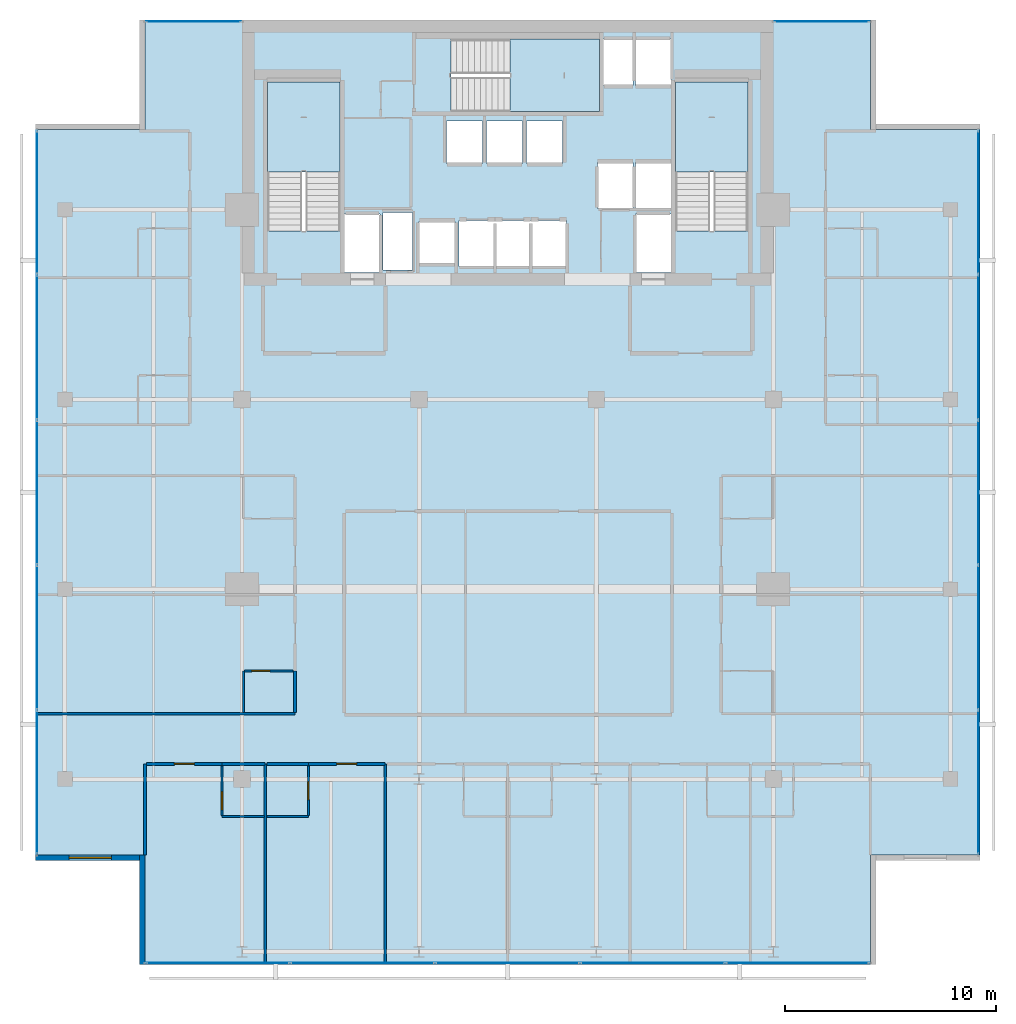
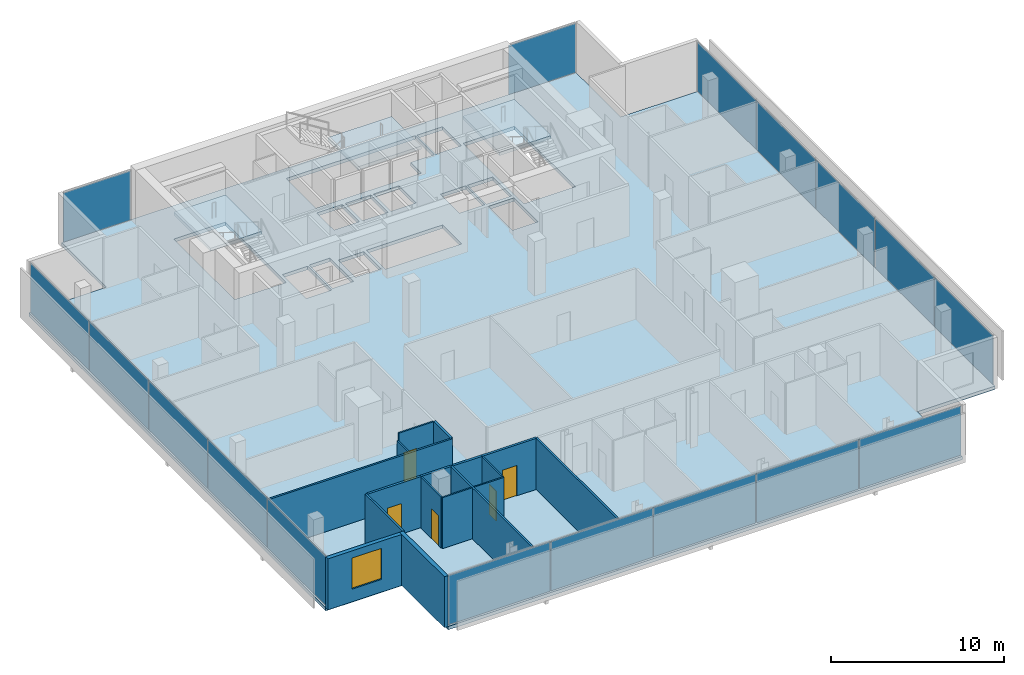
# One storey, part 19 of 25: 17 plates, 17 walls, 5 doors, 4 slabs, 1 window, 6 openings, 8 elements without a shape of their own.
"""IFC4 building model written with IfcOpenShell, lengths in metres."""

import ifcopenshell
import ifcopenshell.guid

model = None  # the IFC model being written
_history = None  # IfcOwnerHistory: only IFC2X3 demands one
_inside = {}  # id of a spatial element -> (the spatial element, [elements in it])
_under = {}  # id of a project, library or spatial element -> (it, [spatial elements below it])
_declared = {}  # id of a project -> (the project, [libraries it declares])
_typed = {}  # id of a type object -> (the type object, [elements of that type])
_made_of = {}  # id of a material, layer set ... -> (it, [elements and type objects made of it])


def new_model(schema):
    """Start an empty IFC model of exactly this schema.

    Asked for "IFC4X3", IfcOpenShell would pick the latest addendum, in which some entities
    have other attributes; the version numbers below select the first issue.
    IFC2X3 requires an IfcOwnerHistory on every rooted entity: one is made here for all.
    """
    global model, _history
    if schema == "IFC4X3":
        model = ifcopenshell.file(schema_version=(4, 3, 0, 0))
    else:
        model = ifcopenshell.file(schema=schema)
    _inside.clear()
    _under.clear()
    _declared.clear()
    _typed.clear()
    _made_of.clear()
    _history = None
    if model.schema == "IFC2X3":
        org = make("IfcOrganization", Name="unknown")
        user = make(
            "IfcPersonAndOrganization",
            ThePerson=make("IfcPerson", FamilyName="unknown"),
            TheOrganization=org,
        )
        app = make(
            "IfcApplication",
            ApplicationDeveloper=org,
            Version="unknown",
            ApplicationFullName="unknown",
            ApplicationIdentifier="unknown",
        )
        _history = make(
            "IfcOwnerHistory",
            OwningUser=user,
            OwningApplication=app,
            ChangeAction="ADDED",
            CreationDate=0,
        )
    return model


def make(cls, **values):
    """One entity of the class cls with the attributes given. An attribute that is None is left unset."""
    return model.create_entity(
        cls, **{name: value for name, value in values.items() if value is not None}
    )


def rooted(cls, **values):
    """An entity with a GlobalId (a new one), such as an element, a storey or a relation."""
    return make(cls, GlobalId=ifcopenshell.guid.new(), OwnerHistory=_history, **values)


def si_unit(unit_type, name, prefix=None):
    """IfcSIUnit, for example si_unit("LENGTHUNIT", "METRE", prefix="MILLI")."""
    return make("IfcSIUnit", UnitType=unit_type, Prefix=prefix, Name=name)


def assignment(units):
    """IfcUnitAssignment: the units of a project."""
    return None if units is None else make("IfcUnitAssignment", Units=units)


def point(xyz):
    """IfcCartesianPoint."""
    return None if xyz is None else make("IfcCartesianPoint", Coordinates=xyz)


def direction(xyz):
    """IfcDirection."""
    return None if xyz is None else make("IfcDirection", DirectionRatios=xyz)


def frame(location, z_axis=None, x_axis=None):
    """IfcAxis2Placement3D, a coordinate frame: its origin and axes. An axis left out is left unset."""
    return make(
        "IfcAxis2Placement3D",
        Location=point(location),
        Axis=direction(z_axis),
        RefDirection=direction(x_axis),
    )


def frame_2d(location, x_axis=None):
    """IfcAxis2Placement2D, a coordinate frame in the plane: its origin and x axis."""
    return make(
        "IfcAxis2Placement2D", Location=point(location), RefDirection=direction(x_axis)
    )


def origin():
    """The frame at (0, 0, 0) with its axes left unset."""
    return frame((0.0, 0.0, 0.0))


def origin_2d():
    """The frame at (0, 0) in the plane with its x axis left unset."""
    return frame_2d((0.0, 0.0))


def place(relative_to, where):
    """IfcLocalPlacement: puts the frame where relative to a parent placement (None: the world)."""
    return make(
        "IfcLocalPlacement", PlacementRelTo=relative_to, RelativePlacement=where
    )


def context(
    kind, dimensions, precision=None, world=None, true_north=None, identifier=None
):
    """IfcGeometricRepresentationContext, for example the 3D "Model" context."""
    return make(
        "IfcGeometricRepresentationContext",
        ContextIdentifier=identifier,
        ContextType=kind,
        CoordinateSpaceDimension=dimensions,
        Precision=precision,
        WorldCoordinateSystem=world,
        TrueNorth=true_north,
    )


def subcontext(parent, identifier, kind, view, scale=None):
    """IfcGeometricRepresentationSubContext, for example "Body" below "Model"."""
    return make(
        "IfcGeometricRepresentationSubContext",
        ContextIdentifier=identifier,
        ContextType=kind,
        ParentContext=parent,
        TargetScale=scale,
        TargetView=view,
    )


def project(units=None, contexts=None):
    """IfcProject with its units and contexts."""
    return rooted(
        "IfcProject",
        Name="project",
        RepresentationContexts=contexts,
        UnitsInContext=assignment(units),
    )


def spatial(cls, under=None, at=None, **own):
    """A site, building, storey or space (cls), placed at a placement, below another one or the project."""
    s = rooted(cls, ObjectPlacement=at, **own)
    if under is not None:
        _under.setdefault(under.id(), (under, []))[1].append(s)
    return s


def polyline(points):
    """IfcPolyline through the points."""
    return make("IfcPolyline", Points=[point(p) for p in points])


def profile(cls, at=None, kind="AREA", **sizes):
    """A parametric profile (cls). Its sizes go by their IFC names, for example OverallWidth=200.0."""
    return make(cls, ProfileType=kind, Position=at, **sizes)


def rectangle(**sizes):
    """IfcRectangleProfileDef."""
    return profile("IfcRectangleProfileDef", **sizes)


def outline(outer, holes=None, kind="AREA"):
    """IfcArbitraryClosedProfileDef: a profile drawn as a closed curve; with holes, ...WithVoids."""
    if holes is None:
        return make("IfcArbitraryClosedProfileDef", ProfileType=kind, OuterCurve=outer)
    return make(
        "IfcArbitraryProfileDefWithVoids",
        ProfileType=kind,
        OuterCurve=outer,
        InnerCurves=holes,
    )


def extrude(swept, where, along, depth):
    """IfcExtrudedAreaSolid: the profile swept, set in the frame where, extruded along a direction by depth."""
    return make(
        "IfcExtrudedAreaSolid",
        SweptArea=swept,
        Position=where,
        ExtrudedDirection=direction(along),
        Depth=depth,
    )


def shape(context_of_items, identifier, shape_type, items):
    """IfcShapeRepresentation: the items that make up one representation, for example the "Body"."""
    return make(
        "IfcShapeRepresentation",
        ContextOfItems=context_of_items,
        RepresentationIdentifier=identifier,
        RepresentationType=shape_type,
        Items=items,
    )


def material(Name=None, Category=None):
    """IfcMaterial."""
    return make("IfcMaterial", Name=Name, Category=Category)


def layer(
    of_material, thickness, ventilated=None, Name=None, Category=None, Priority=None
):
    """IfcMaterialLayer: one layer of a wall or slab, of a material (None: an air gap)."""
    return make(
        "IfcMaterialLayer",
        Material=of_material,
        LayerThickness=thickness,
        IsVentilated=ventilated,
        Name=Name,
        Category=Category,
        Priority=Priority,
    )


def layer_set(layers, Name=None):
    """IfcMaterialLayerSet."""
    return make("IfcMaterialLayerSet", MaterialLayers=layers, LayerSetName=Name)


def made_of(thing, what):
    """Note that an element or type object is made of a material, layer set ...; save() writes the relation."""
    if what is not None:
        _made_of.setdefault(what.id(), (what, []))[1].append(thing)
    return thing


def type_object(cls, material=None, **own):
    """A type object (cls), such as IfcWallType, which elements share."""
    return made_of(rooted(cls, **own), material)


def element(
    cls,
    number,
    at=None,
    inside=None,
    cuts=None,
    type_object=None,
    material=None,
    context=None,
    identifier="Body",
    shape_type=None,
    held_by="IfcProductDefinitionShape",
    body=None,
    shapes=None,
    **own,
):
    """One element of the class cls, such as IfcWall. Its Tag is "e" and its number.

    at: its placement. inside: the storey or other place that contains it. cuts: it is an
    opening in that element (IfcRelVoidsElement). A single representation is given by context,
    identifier, shape_type and body (its items); several are given by shapes. held_by: the class
    of the entity that holds the representations. save() writes the other relations.
    """
    e = rooted(cls, Tag="e%d" % number, ObjectPlacement=at, **own)
    if body is not None:
        shapes = [shape(context, identifier, shape_type, body)]
    if shapes is not None:
        e.Representation = make(held_by, Representations=shapes)
    if inside is not None:
        _inside.setdefault(inside.id(), (inside, []))[1].append(e)
    if cuts is not None:
        rooted(
            "IfcRelVoidsElement", RelatingBuildingElement=cuts, RelatedOpeningElement=e
        )
    if type_object is not None:
        _typed.setdefault(type_object.id(), (type_object, []))[1].append(e)
    return made_of(e, material)


def fill(opening, filler):
    """IfcRelFillsElement: the door or window that sits in an opening."""
    return rooted(
        "IfcRelFillsElement",
        RelatingOpeningElement=opening,
        RelatedBuildingElement=filler,
    )


def aggregate(whole, parts):
    """IfcRelAggregates: a whole, such as a stair, and the parts it consists of."""
    return rooted("IfcRelAggregates", RelatingObject=whole, RelatedObjects=parts)


def save(model, path):
    """Write the relations noted so far, then the file.

    IfcRelAggregates (storeys below a building ...), IfcRelContainedInSpatialStructure (elements
    in a storey), IfcRelDefinesByType, IfcRelAssociatesMaterial and IfcRelDeclares: one each for
    every whole, place, type object, material and project.
    """
    for whole, parts in _under.values():
        aggregate(whole, parts)
    for where, things in _inside.values():
        rooted(
            "IfcRelContainedInSpatialStructure",
            RelatedElements=things,
            RelatingStructure=where,
        )
    for kind, things in _typed.values():
        rooted("IfcRelDefinesByType", RelatedObjects=things, RelatingType=kind)
    for what, things in _made_of.values():
        rooted("IfcRelAssociatesMaterial", RelatedObjects=things, RelatingMaterial=what)
    for by, libraries in _declared.values():
        rooted("IfcRelDeclares", RelatingContext=by, RelatedDefinitions=libraries)
    model.write(path)


model = new_model("IFC4")

# Units and contexts
model_context = context("Model", 3, precision=1e-05, world=origin(), true_north=direction((0.0, 1.0)))
body_context = subcontext(model_context, "Body", "Model", "MODEL_VIEW")
ifc_project = project(units=[si_unit("LENGTHUNIT", "METRE"), si_unit("AREAUNIT", "SQUARE_METRE"), si_unit("VOLUMEUNIT", "CUBIC_METRE"), si_unit("PLANEANGLEUNIT", "RADIAN"), si_unit("MASSUNIT", "GRAM", prefix="KILO")], contexts=[model_context])

# Site, building, storey
site_placement = place(None, origin())
site = spatial("IfcSite", under=ifc_project, at=site_placement, CompositionType="ELEMENT")
building_placement = place(site_placement, origin())
building = spatial("IfcBuilding", under=site, at=building_placement, Name="Maruvema Waterfront Hotel and Observation Tower", CompositionType="ELEMENT")
storey_placement = place(building_placement, frame((0.0, 0.0, 239.39990234375)))
storey = spatial("IfcBuildingStorey", under=building, at=storey_placement, Name="L58", CompositionType="ELEMENT", Elevation=239.39990234375)

# Slab
ifc_material_1 = material(Name="Concrete C50/60", Category="concrete")
ifc_layer_1 = layer(ifc_material_1, 0.239990234375, Name="Reinforced Concrete Floor Slab 240 mm")
ifc_layer_set_1 = layer_set([ifc_layer_1], Name="Concrete C50/60")
slab_type_1 = type_object("IfcSlabType", Name="Reinforced Concrete Floor Slab 240 mm", PredefinedType="FLOOR", material=ifc_layer_set_1)
slab_1_placement = place(storey_placement, frame((0.0, 0.0, -0.239990234375)))
element("IfcSlab", 1, at=slab_1_placement, inside=storey, type_object=slab_type_1, Name="L58 Structural Floor Slab", PredefinedType="FLOOR", context=body_context, shape_type="SweptSolid", body=[
    extrude(outline(polyline([(20.60009765625, 9.199951171875), (55.0, 9.199951171875), (55.0, 14.39990234375), (60.199951171875, 14.39990234375), (60.199951171875, 48.800048828125), (55.0, 48.800048828125), (55.0, 54.0), (20.60009765625, 54.0), (20.60009765625, 48.800048828125), (15.39990234375, 48.800048828125), (15.39990234375, 14.39990234375), (20.60009765625, 14.39990234375), (20.60009765625, 9.199951171875)]), holes=[polyline([(26.39990234375, 44.00048828125), (26.39990234375, 51.050048828125), (29.85009765625, 51.050048828125), (29.85009765625, 44.00048828125), (26.39990234375, 44.00048828125)]), polyline([(30.050048828125, 44.800048828125), (31.75, 44.800048828125), (31.75, 42.02001953125), (30.050048828125, 42.02001953125), (30.050048828125, 44.800048828125)]), polyline([(31.8798828125, 44.860107421875), (33.280029296875, 44.860107421875), (33.280029296875, 42.139892578125), (31.8798828125, 42.139892578125), (31.8798828125, 44.860107421875)]), polyline([(33.60009765625, 44.449951171875), (35.300048828125, 44.449951171875), (35.300048828125, 42.449951171875), (33.60009765625, 42.449951171875), (33.60009765625, 44.449951171875)]), polyline([(34.89990234375, 49.199951171875), (36.60009765625, 49.199951171875), (36.60009765625, 47.199951171875), (34.89990234375, 47.199951171875), (34.89990234375, 49.199951171875)]), polyline([(36.800048828125, 49.199951171875), (38.5, 49.199951171875), (38.5, 47.199951171875), (36.800048828125, 47.199951171875), (36.800048828125, 49.199951171875)]), polyline([(35.5, 42.300048828125), (35.5, 44.5), (40.60009765625, 44.5), (40.60009765625, 42.300048828125), (35.5, 42.300048828125)]), polyline([(35.1005859375, 53.10009765625), (43.75, 53.10009765625), (43.75, 50.89990234375), (42.14990234375, 50.89990234375), (42.14990234375, 49.64990234375), (35.1005859375, 49.64990234375), (35.1005859375, 53.10009765625)]), polyline([(38.699951171875, 49.199951171875), (40.39990234375, 49.199951171875), (40.39990234375, 47.199951171875), (38.699951171875, 47.199951171875), (38.699951171875, 49.199951171875)]), polyline([(42.050048828125, 47.25), (43.75, 47.25), (43.75, 45.050048828125), (42.050048828125, 45.050048828125), (42.050048828125, 47.25)]), polyline([(43.85009765625, 44.800048828125), (45.550048828125, 44.800048828125), (45.550048828125, 42.02001953125), (43.85009765625, 42.02001953125), (43.85009765625, 44.800048828125)]), polyline([(43.85009765625, 47.25), (45.550048828125, 47.25), (45.550048828125, 45.050048828125), (43.85009765625, 45.050048828125), (43.85009765625, 47.25)]), polyline([(45.550048828125, 53.10009765625), (45.550048828125, 50.89990234375), (43.85009765625, 50.89990234375), (43.85009765625, 53.10009765625), (45.550048828125, 53.10009765625)]), polyline([(45.75, 44.00048828125), (45.75, 51.050048828125), (49.199951171875, 51.050048828125), (49.199951171875, 44.00048828125), (45.75, 44.00048828125)])]), origin(), (0.0, 0.0, 1.0), 0.239990234375),
])

# Curtain wall, plates
ifc_material_2 = material(Name="Anodised bronze aluminium and solar-control low-E IGU", Category="aluminium")
ifc_layer_2 = layer(ifc_material_2, 0.159912109375, Name="Zone 3 Champagne Inner Thermal Curtain Wall System CW-04")
ifc_layer_set_2 = layer_set([ifc_layer_2], Name="Anodised bronze aluminium and solar-control low-E IGU")
curtain_wall_type = type_object("IfcCurtainWallType", Name="Zone 3 Champagne Inner Thermal Curtain Wall System CW-04", PredefinedType="USERDEFINED", material=ifc_layer_set_2)
curtain_wall_1_placement = place(storey_placement, origin())
curtain_wall_1 = element("IfcCurtainWall", 2, at=curtain_wall_1_placement, inside=storey, type_object=curtain_wall_type, Name="L58 Curtain Wall CW-L58-S", ObjectType="UNITISED CURTAIN WALL", PredefinedType="USERDEFINED")
ifc_material_3 = material(Name="Laminated low-E solar-control double glazing", Category="glass")
ifc_layer_3 = layer(ifc_material_3, 0.035888671875, Name="Solar Control Double-Glazed Curtain Panel 36 mm")
ifc_layer_set_3 = layer_set([ifc_layer_3], Name="Laminated low-E solar-control double glazing")
plate_type = type_object("IfcPlateType", Name="Solar Control Double-Glazed Curtain Panel 36 mm", PredefinedType="CURTAIN_PANEL", material=ifc_layer_set_3)
plate_1_placement = place(storey_placement, frame((24.054931640625, 9.280029296875, 0.06005859375), z_axis=(0.0, 0.0, 1.0), x_axis=(1.0, 0.0, 0.0)))
plate_1 = element("IfcPlate", 3, at=plate_1_placement, type_object=plate_type, Name="CW-04 panel 1.1", PredefinedType="CURTAIN_PANEL", context=body_context, shape_type="SweptSolid", body=[
    extrude(rectangle(XDim=6.7900390625, YDim=0.028076171875, at=origin_2d()), origin(), (0.0, 0.0, 1.0), 3.489990234375),
])
plate_2_placement = place(storey_placement, frame((30.919921875, 9.280029296875, 0.06005859375), z_axis=(0.0, 0.0, 1.0), x_axis=(1.0, 0.0, 0.0)))
plate_2 = element("IfcPlate", 4, at=plate_2_placement, type_object=plate_type, Name="CW-04 panel 2.1", PredefinedType="CURTAIN_PANEL", context=body_context, shape_type="SweptSolid", body=[
    extrude(rectangle(XDim=6.820068359375, YDim=0.028076171875, at=origin_2d()), origin(), (0.0, 0.0, 1.0), 3.489990234375),
])
plate_3_placement = place(storey_placement, frame((37.800048828125, 9.280029296875, 0.06005859375), z_axis=(0.0, 0.0, 1.0), x_axis=(1.0, 0.0, 0.0)))
plate_3 = element("IfcPlate", 5, at=plate_3_placement, type_object=plate_type, Name="CW-04 panel 3.1", PredefinedType="CURTAIN_PANEL", context=body_context, shape_type="SweptSolid", body=[
    extrude(rectangle(XDim=6.820068359375, YDim=0.028076171875, at=origin_2d()), origin(), (0.0, 0.0, 1.0), 3.489990234375),
])
plate_4_placement = place(storey_placement, frame((44.679931640625, 9.280029296875, 0.06005859375), z_axis=(0.0, 0.0, 1.0), x_axis=(1.0, 0.0, 0.0)))
plate_4 = element("IfcPlate", 6, at=plate_4_placement, type_object=plate_type, Name="CW-04 panel 4.1", PredefinedType="CURTAIN_PANEL", context=body_context, shape_type="SweptSolid", body=[
    extrude(rectangle(XDim=6.820068359375, YDim=0.028076171875, at=origin_2d()), origin(), (0.0, 0.0, 1.0), 3.489990234375),
])
plate_5_placement = place(storey_placement, frame((51.544921875, 9.280029296875, 0.06005859375), z_axis=(0.0, 0.0, 1.0), x_axis=(1.0, 0.0, 0.0)))
plate_5 = element("IfcPlate", 7, at=plate_5_placement, type_object=plate_type, Name="CW-04 panel 5.1", PredefinedType="CURTAIN_PANEL", context=body_context, shape_type="SweptSolid", body=[
    extrude(rectangle(XDim=6.7900390625, YDim=0.028076171875, at=origin_2d()), origin(), (0.0, 0.0, 1.0), 3.489990234375),
])
aggregate(curtain_wall_1, [plate_1, plate_2, plate_3, plate_4, plate_5])

curtain_wall_2_placement = place(storey_placement, origin())
curtain_wall_2 = element("IfcCurtainWall", 8, at=curtain_wall_2_placement, inside=storey, type_object=curtain_wall_type, Name="L58 Curtain Wall CW-L58-E", ObjectType="UNITISED CURTAIN WALL", PredefinedType="USERDEFINED")
plate_6_placement = place(storey_placement, frame((60.1201171875, 17.85498046875, 0.06005859375), z_axis=(0.0, 0.0, 1.0), x_axis=(0.0, 1.0, 0.0)))
plate_6 = element("IfcPlate", 9, at=plate_6_placement, type_object=plate_type, Name="CW-04 panel 1.1", PredefinedType="CURTAIN_PANEL", context=body_context, shape_type="SweptSolid", body=[
    extrude(rectangle(XDim=6.7900390625, YDim=0.028076171875, at=origin_2d()), origin(), (0.0, 0.0, 1.0), 3.489990234375),
])
plate_7_placement = place(storey_placement, frame((60.1201171875, 24.719970703125, 0.06005859375), z_axis=(0.0, 0.0, 1.0), x_axis=(0.0, 1.0, 0.0)))
plate_7 = element("IfcPlate", 10, at=plate_7_placement, type_object=plate_type, Name="CW-04 panel 2.1", PredefinedType="CURTAIN_PANEL", context=body_context, shape_type="SweptSolid", body=[
    extrude(rectangle(XDim=6.820068359375, YDim=0.028076171875, at=origin_2d()), origin(), (0.0, 0.0, 1.0), 3.489990234375),
])
plate_8_placement = place(storey_placement, frame((60.1201171875, 31.60009765625, 0.06005859375), z_axis=(0.0, 0.0, 1.0), x_axis=(0.0, 1.0, 0.0)))
plate_8 = element("IfcPlate", 11, at=plate_8_placement, type_object=plate_type, Name="CW-04 panel 3.1", PredefinedType="CURTAIN_PANEL", context=body_context, shape_type="SweptSolid", body=[
    extrude(rectangle(XDim=6.820068359375, YDim=0.028076171875, at=origin_2d()), origin(), (0.0, 0.0, 1.0), 3.489990234375),
])
plate_9_placement = place(storey_placement, frame((60.1201171875, 38.47998046875, 0.06005859375), z_axis=(0.0, 0.0, 1.0), x_axis=(0.0, 1.0, 0.0)))
plate_9 = element("IfcPlate", 12, at=plate_9_placement, type_object=plate_type, Name="CW-04 panel 4.1", PredefinedType="CURTAIN_PANEL", context=body_context, shape_type="SweptSolid", body=[
    extrude(rectangle(XDim=6.820068359375, YDim=0.028076171875, at=origin_2d()), origin(), (0.0, 0.0, 1.0), 3.489990234375),
])
plate_10_placement = place(storey_placement, frame((60.1201171875, 45.344970703125, 0.06005859375), z_axis=(0.0, 0.0, 1.0), x_axis=(0.0, 1.0, 0.0)))
plate_10 = element("IfcPlate", 13, at=plate_10_placement, type_object=plate_type, Name="CW-04 panel 5.1", PredefinedType="CURTAIN_PANEL", context=body_context, shape_type="SweptSolid", body=[
    extrude(rectangle(XDim=6.7900390625, YDim=0.028076171875, at=origin_2d()), origin(), (0.0, 0.0, 1.0), 3.489990234375),
])
aggregate(curtain_wall_2, [plate_6, plate_7, plate_8, plate_9, plate_10])

curtain_wall_3_placement = place(storey_placement, origin())
curtain_wall_3 = element("IfcCurtainWall", 14, at=curtain_wall_3_placement, inside=storey, type_object=curtain_wall_type, Name="L58 Curtain Wall CW-L58-W", ObjectType="UNITISED CURTAIN WALL", PredefinedType="USERDEFINED")
plate_11_placement = place(storey_placement, frame((15.47998046875, 45.344970703125, 0.06005859375), z_axis=(0.0, 0.0, 1.0), x_axis=(0.0, -1.0, 0.0)))
plate_11 = element("IfcPlate", 15, at=plate_11_placement, type_object=plate_type, Name="CW-04 panel 1.1", PredefinedType="CURTAIN_PANEL", context=body_context, shape_type="SweptSolid", body=[
    extrude(rectangle(XDim=6.7900390625, YDim=0.028076171875, at=origin_2d()), origin(), (0.0, 0.0, 1.0), 3.489990234375),
])
plate_12_placement = place(storey_placement, frame((15.47998046875, 38.47998046875, 0.06005859375), z_axis=(0.0, 0.0, 1.0), x_axis=(0.0, -1.0, 0.0)))
plate_12 = element("IfcPlate", 16, at=plate_12_placement, type_object=plate_type, Name="CW-04 panel 2.1", PredefinedType="CURTAIN_PANEL", context=body_context, shape_type="SweptSolid", body=[
    extrude(rectangle(XDim=6.820068359375, YDim=0.028076171875, at=origin_2d()), origin(), (0.0, 0.0, 1.0), 3.489990234375),
])
plate_13_placement = place(storey_placement, frame((15.47998046875, 31.60009765625, 0.06005859375), z_axis=(0.0, 0.0, 1.0), x_axis=(0.0, -1.0, 0.0)))
plate_13 = element("IfcPlate", 17, at=plate_13_placement, type_object=plate_type, Name="CW-04 panel 3.1", PredefinedType="CURTAIN_PANEL", context=body_context, shape_type="SweptSolid", body=[
    extrude(rectangle(XDim=6.820068359375, YDim=0.028076171875, at=origin_2d()), origin(), (0.0, 0.0, 1.0), 3.489990234375),
])
plate_14_placement = place(storey_placement, frame((15.47998046875, 24.719970703125, 0.06005859375), z_axis=(0.0, 0.0, 1.0), x_axis=(0.0, -1.0, 0.0)))
plate_14 = element("IfcPlate", 18, at=plate_14_placement, type_object=plate_type, Name="CW-04 panel 4.1", PredefinedType="CURTAIN_PANEL", context=body_context, shape_type="SweptSolid", body=[
    extrude(rectangle(XDim=6.820068359375, YDim=0.028076171875, at=origin_2d()), origin(), (0.0, 0.0, 1.0), 3.489990234375),
])
plate_15_placement = place(storey_placement, frame((15.47998046875, 17.85498046875, 0.06005859375), z_axis=(0.0, 0.0, 1.0), x_axis=(0.0, -1.0, 0.0)))
plate_15 = element("IfcPlate", 19, at=plate_15_placement, type_object=plate_type, Name="CW-04 panel 5.1", PredefinedType="CURTAIN_PANEL", context=body_context, shape_type="SweptSolid", body=[
    extrude(rectangle(XDim=6.7900390625, YDim=0.028076171875, at=origin_2d()), origin(), (0.0, 0.0, 1.0), 3.489990234375),
])
aggregate(curtain_wall_3, [plate_11, plate_12, plate_13, plate_14, plate_15])

# Curtain wall, plate
curtain_wall_4_placement = place(storey_placement, origin())
curtain_wall_4 = element("IfcCurtainWall", 20, at=curtain_wall_4_placement, inside=storey, type_object=curtain_wall_type, Name="L58 Curtain Wall CW-L58-NW", ObjectType="UNITISED CURTAIN WALL", PredefinedType="USERDEFINED")
plate_16_placement = place(storey_placement, frame((22.89990234375, 53.919921875, 0.06005859375), z_axis=(0.0, 0.0, 1.0), x_axis=(-1.0, 0.0, 0.0)))
plate_16 = element("IfcPlate", 21, at=plate_16_placement, type_object=plate_type, Name="CW-04 panel 1.1", PredefinedType="CURTAIN_PANEL", context=body_context, shape_type="SweptSolid", body=[
    extrude(rectangle(XDim=4.47998046875, YDim=0.028076171875, at=origin_2d()), origin(), (0.0, 0.0, 1.0), 3.489990234375),
])
aggregate(curtain_wall_4, [plate_16])

curtain_wall_5_placement = place(storey_placement, origin())
curtain_wall_5 = element("IfcCurtainWall", 22, at=curtain_wall_5_placement, inside=storey, type_object=curtain_wall_type, Name="L58 Curtain Wall CW-L58-NE", ObjectType="UNITISED CURTAIN WALL", PredefinedType="USERDEFINED")
plate_17_placement = place(storey_placement, frame((52.699951171875, 53.919921875, 0.06005859375), z_axis=(0.0, 0.0, 1.0), x_axis=(-1.0, 0.0, 0.0)))
plate_17 = element("IfcPlate", 23, at=plate_17_placement, type_object=plate_type, Name="CW-04 panel 1.1", PredefinedType="CURTAIN_PANEL", context=body_context, shape_type="SweptSolid", body=[
    extrude(rectangle(XDim=4.47998046875, YDim=0.028076171875, at=origin_2d()), origin(), (0.0, 0.0, 1.0), 3.489990234375),
])
aggregate(curtain_wall_5, [plate_17])

# Stair, slab
ifc_material_4 = material(Name="Concrete C50/60", Category="concrete")
stair_type = type_object("IfcStairType", Name="Dogleg Exit Stair 1650 mm (22R x 175.0 mm)", PredefinedType="HALF_TURN_STAIR", material=ifc_material_4)
stair_1_placement = place(storey_placement, origin())
stair_1 = element("IfcStair", 24, at=stair_1_placement, inside=storey, type_object=stair_type, Name="L58 ST-01", PredefinedType="HALF_TURN_STAIR")
ifc_material_5 = material(Name="Concrete C50/60", Category="concrete")
ifc_layer_4 = layer(ifc_material_5, 0.219970703125, Name="Stair Concrete Landing Slab 220 mm")
ifc_layer_set_4 = layer_set([ifc_layer_4], Name="Concrete C50/60")
slab_type_2 = type_object("IfcSlabType", Name="Stair Concrete Landing Slab 220 mm", PredefinedType="LANDING", material=ifc_layer_set_4)
slab_2_placement = place(storey_placement, frame((0.0, 0.0, 1.705078125)))
slab_2 = element("IfcSlab", 25, at=slab_2_placement, type_object=slab_type_2, Name="ST-01 landing 1", PredefinedType="LANDING", context=body_context, shape_type="SweptSolid", body=[
    extrude(outline(polyline([(29.85009765625, 46.800048828125), (29.85009765625, 51.050048828125), (26.39990234375, 51.050048828125), (26.39990234375, 46.800048828125), (29.85009765625, 46.800048828125)])), origin(), (0.0, 0.0, 1.0), 0.219970703125),
])
aggregate(stair_1, [slab_2])

stair_2_placement = place(storey_placement, origin())
stair_2 = element("IfcStair", 26, at=stair_2_placement, inside=storey, type_object=stair_type, Name="L58 ST-02", PredefinedType="HALF_TURN_STAIR")
slab_3_placement = place(storey_placement, frame((0.0, 0.0, 1.705078125)))
slab_3 = element("IfcSlab", 27, at=slab_3_placement, type_object=slab_type_2, Name="ST-02 landing 1", PredefinedType="LANDING", context=body_context, shape_type="SweptSolid", body=[
    extrude(outline(polyline([(37.89990234375, 49.64990234375), (42.14990234375, 49.64990234375), (42.14990234375, 53.10009765625), (37.89990234375, 53.10009765625), (37.89990234375, 49.64990234375)])), origin(), (0.0, 0.0, 1.0), 0.219970703125),
])
aggregate(stair_2, [slab_3])

stair_3_placement = place(storey_placement, origin())
stair_3 = element("IfcStair", 28, at=stair_3_placement, inside=storey, type_object=stair_type, Name="L58 ST-03", PredefinedType="HALF_TURN_STAIR")
slab_4_placement = place(storey_placement, frame((0.0, 0.0, 1.705078125)))
slab_4 = element("IfcSlab", 29, at=slab_4_placement, type_object=slab_type_2, Name="ST-03 landing 1", PredefinedType="LANDING", context=body_context, shape_type="SweptSolid", body=[
    extrude(outline(polyline([(49.199951171875, 46.800048828125), (49.199951171875, 51.050048828125), (45.75, 51.050048828125), (45.75, 46.800048828125), (49.199951171875, 46.800048828125)])), origin(), (0.0, 0.0, 1.0), 0.219970703125),
])
aggregate(stair_3, [slab_4])

# Wall
ifc_material_6 = material(Name="Twin-stud acoustic gypsum drywall", Category="gypsum")
ifc_layer_5 = layer(ifc_material_6, 0.14990234375, Name="Acoustic Corridor and Suite Demising Wall 150 mm")
ifc_layer_set_5 = layer_set([ifc_layer_5], Name="Twin-stud acoustic gypsum drywall")
wall_type_1 = type_object("IfcWallType", Name="Acoustic Corridor and Suite Demising Wall 150 mm", PredefinedType="PARTITIONING", material=ifc_layer_set_5)
wall_1_placement = place(storey_placement, frame((24.25, 18.719970703125, 0.0), z_axis=(0.0, 0.0, 1.0), x_axis=(1.0, 0.0, 0.0)))
element("IfcWall", 30, at=wall_1_placement, inside=storey, type_object=wall_type_1, Name="L58 Bath L58-S1 Back Wall 025", PredefinedType="PARTITIONING", context=body_context, shape_type="SweptSolid", body=[
    extrude(rectangle(XDim=2.030029296875, YDim=0.14990234375, at=frame_2d((1.01513671875, 0.0))), origin(), (0.0, 0.0, 1.0), 3.610107421875),
])

# Wall, opening, door
wall_2_placement = place(storey_placement, frame((20.679931640625, 18.719970703125, 0.0), z_axis=(0.0, 0.0, 1.0), x_axis=(1.0, 0.0, 0.0)))
wall_2 = element("IfcWall", 31, at=wall_2_placement, inside=storey, type_object=wall_type_1, Name="L58 Unit L58-S1 Corridor Wall 028", PredefinedType="PARTITIONING", context=body_context, shape_type="SweptSolid", body=[
    extrude(rectangle(XDim=3.570068359375, YDim=0.14990234375, at=frame_2d((1.78515625, 0.0))), origin(), (0.0, 0.0, 1.0), 3.610107421875),
])
opening_1_placement = place(wall_2_placement, frame((1.31005859375, 0.0, 0.0)))
opening_1 = element("IfcOpeningElement", 32, at=opening_1_placement, cuts=wall_2, Name="Opening DR-095", PredefinedType="OPENING", context=body_context, shape_type="SweptSolid", body=[
    extrude(rectangle(XDim=0.949951171875, YDim=2.14990234375, at=frame_2d((0.47509765625, 1.074951171875))), frame((0.0, 0.0849609375, 0.0), z_axis=(0.0, -1.0, 0.0), x_axis=(1.0, 0.0, 0.0)), (0.0, 0.0, 1.0), 0.169921875),
])
ifc_material_7 = material(Name="Acoustic solid-core hardwood timber leaf", Category="wood")
door_type_1 = type_object("IfcDoorType", Name="Guestroom Entrance Fire Door 950x2150 mm", OperationType="NOTDEFINED", PredefinedType="DOOR", material=ifc_material_7)
door_1_placement = place(opening_1_placement, frame((0.949951171875, 0.0, 0.0), z_axis=(0.0, 0.0, 1.0), x_axis=(-1.0, 0.0, 0.0)))
door_1 = element("IfcDoor", 33, at=door_1_placement, inside=storey, type_object=door_type_1, Name="L58 Unit L58-S1 Entrance Door", OperationType="SINGLE_SWING_LEFT", OverallHeight=2.14990234375, OverallWidth=0.949951171875, PredefinedType="DOOR", context=body_context, shape_type="SweptSolid", body=[
    extrude(rectangle(XDim=0.949951171875, YDim=2.14990234375, at=frame_2d((0.47509765625, 1.074951171875))), frame((0.0, 0.02490234375, 0.0), z_axis=(0.0, -1.0, 0.0), x_axis=(1.0, 0.0, 0.0)), (0.0, 0.0, 1.0), 0.050048828125),
])
fill(opening_1, door_1)

# Wall
wall_3_placement = place(storey_placement, frame((26.3798828125, 18.719970703125, 0.0), z_axis=(0.0, 0.0, 1.0), x_axis=(1.0, 0.0, 0.0)))
element("IfcWall", 34, at=wall_3_placement, inside=storey, type_object=wall_type_1, Name="L58 Bath L58-S2 Back Wall 030", PredefinedType="PARTITIONING", context=body_context, shape_type="SweptSolid", body=[
    extrude(rectangle(XDim=1.97021484375, YDim=0.14990234375, at=frame_2d((0.985107421875, 0.0))), origin(), (0.0, 0.0, 1.0), 3.610107421875),
])

# Wall, opening, door
wall_4_placement = place(storey_placement, frame((28.35009765625, 18.719970703125, 0.0), z_axis=(0.0, 0.0, 1.0), x_axis=(1.0, 0.0, 0.0)))
wall_4 = element("IfcWall", 35, at=wall_4_placement, inside=storey, type_object=wall_type_1, Name="L58 Unit L58-S2 Corridor Wall 033", PredefinedType="PARTITIONING", context=body_context, shape_type="SweptSolid", body=[
    extrude(rectangle(XDim=3.6298828125, YDim=0.14990234375, at=frame_2d((1.81494140625, 0.0))), origin(), (0.0, 0.0, 1.0), 3.610107421875),
])
opening_2_placement = place(wall_4_placement, frame((1.340087890625, 0.0, 0.0)))
opening_2 = element("IfcOpeningElement", 36, at=opening_2_placement, cuts=wall_4, Name="Opening DR-095", PredefinedType="OPENING", context=body_context, shape_type="SweptSolid", body=[
    extrude(rectangle(XDim=0.949951171875, YDim=2.14990234375, at=frame_2d((0.47509765625, 1.074951171875))), frame((0.0, 0.0849609375, 0.0), z_axis=(0.0, -1.0, 0.0), x_axis=(1.0, 0.0, 0.0)), (0.0, 0.0, 1.0), 0.169921875),
])
door_2_placement = place(opening_2_placement, frame((0.949951171875, 0.0, 0.0), z_axis=(0.0, 0.0, 1.0), x_axis=(-1.0, 0.0, 0.0)))
door_2 = element("IfcDoor", 37, at=door_2_placement, inside=storey, type_object=door_type_1, Name="L58 Unit L58-S2 Entrance Door", OperationType="SINGLE_SWING_LEFT", OverallHeight=2.14990234375, OverallWidth=0.949951171875, PredefinedType="DOOR", context=body_context, shape_type="SweptSolid", body=[
    extrude(rectangle(XDim=0.949951171875, YDim=2.14990234375, at=frame_2d((0.47509765625, 1.074951171875))), frame((0.0, 0.02490234375, 0.0), z_axis=(0.0, -1.0, 0.0), x_axis=(1.0, 0.0, 0.0)), (0.0, 0.0, 1.0), 0.050048828125),
])
fill(opening_2, door_2)

# Walls
wall_5_placement = place(storey_placement, frame((27.719970703125, 21.159912109375, 0.0), z_axis=(0.0, 0.0, 1.0), x_axis=(0.0, 1.0, 0.0)))
element("IfcWall", 38, at=wall_5_placement, inside=storey, type_object=wall_type_1, Name="L58 Bath L58-W1 Wall 058", PredefinedType="PARTITIONING", context=body_context, shape_type="SweptSolid", body=[
    extrude(rectangle(XDim=1.969970703125, YDim=0.14990234375, at=frame_2d((0.98486328125, 0.0))), origin(), (0.0, 0.0, 1.0), 3.610107421875),
])
ifc_material_8 = material(Name="Moisture-resistant cement-board drywall", Category="gypsum")
ifc_layer_6 = layer(ifc_material_8, 0.10009765625, Name="En-Suite Moisture-Resistant Partition 100 mm")
ifc_layer_set_6 = layer_set([ifc_layer_6], Name="Moisture-resistant cement-board drywall")
wall_type_2 = type_object("IfcWallType", Name="En-Suite Moisture-Resistant Partition 100 mm", PredefinedType="PARTITIONING", material=ifc_layer_set_6)
wall_6_placement = place(storey_placement, frame((24.25, 16.219970703125, 0.0), z_axis=(0.0, 0.0, 1.0), x_axis=(1.0, 0.0, 0.0)))
element("IfcWall", 39, at=wall_6_placement, inside=storey, type_object=wall_type_2, Name="L58 En-Suite L58-S1 South 026", PredefinedType="PARTITIONING", context=body_context, shape_type="SweptSolid", body=[
    extrude(rectangle(XDim=2.010009765625, YDim=0.10009765625, at=frame_2d((1.0048828125, 0.0))), origin(), (0.0, 0.0, 1.0), 3.610107421875),
])

# Wall, opening, door
wall_7_placement = place(storey_placement, frame((24.25, 16.280029296875, 0.0), z_axis=(0.0, 0.0, 1.0), x_axis=(0.0, 1.0, 0.0)))
wall_7 = element("IfcWall", 40, at=wall_7_placement, inside=storey, type_object=wall_type_2, Name="L58 En-Suite L58-S1 West 027", PredefinedType="PARTITIONING", context=body_context, shape_type="SweptSolid", body=[
    extrude(rectangle(XDim=2.340087890625, YDim=0.10009765625, at=frame_2d((1.169921875, 0.0))), origin(), (0.0, 0.0, 1.0), 3.610107421875),
])
opening_3_placement = place(wall_7_placement, frame((0.264892578125, 0.0, 0.0)))
opening_3 = element("IfcOpeningElement", 41, at=opening_3_placement, cuts=wall_7, Name="Opening DR-085", PredefinedType="OPENING", context=body_context, shape_type="SweptSolid", body=[
    extrude(rectangle(XDim=0.85009765625, YDim=2.10009765625, at=frame_2d((0.425048828125, 1.050048828125))), frame((0.0, 0.06005859375, 0.0), z_axis=(0.0, -1.0, 0.0), x_axis=(1.0, 0.0, 0.0)), (0.0, 0.0, 1.0), 0.1201171875),
])
ifc_material_9 = material(Name="Moisture-resistant solid timber leaf", Category="wood")
door_type_2 = type_object("IfcDoorType", Name="En-Suite Bathroom Door 850x2100 mm", OperationType="NOTDEFINED", PredefinedType="DOOR", material=ifc_material_9)
door_3_placement = place(opening_3_placement, origin())
door_3 = element("IfcDoor", 42, at=door_3_placement, inside=storey, type_object=door_type_2, Name="L58 En-Suite L58-S1 Door", OperationType="SINGLE_SWING_RIGHT", OverallHeight=2.10009765625, OverallWidth=0.85009765625, PredefinedType="DOOR", context=body_context, shape_type="SweptSolid", body=[
    extrude(rectangle(XDim=0.85009765625, YDim=2.10009765625, at=frame_2d((0.425048828125, 1.050048828125))), frame((0.0, 0.02490234375, 0.0), z_axis=(0.0, -1.0, 0.0), x_axis=(1.0, 0.0, 0.0)), (0.0, 0.0, 1.0), 0.050048828125),
])
fill(opening_3, door_3)

# Wall
wall_8_placement = place(storey_placement, frame((26.3798828125, 16.219970703125, 0.0), z_axis=(0.0, 0.0, 1.0), x_axis=(1.0, 0.0, 0.0)))
element("IfcWall", 43, at=wall_8_placement, inside=storey, type_object=wall_type_2, Name="L58 En-Suite L58-S2 South 031", PredefinedType="PARTITIONING", context=body_context, shape_type="SweptSolid", body=[
    extrude(rectangle(XDim=1.97021484375, YDim=0.10009765625, at=frame_2d((0.985107421875, 0.0))), origin(), (0.0, 0.0, 1.0), 3.610107421875),
])

# Wall, opening, door
wall_9_placement = place(storey_placement, frame((28.35009765625, 16.280029296875, 0.0), z_axis=(0.0, 0.0, 1.0), x_axis=(0.0, 1.0, 0.0)))
wall_9 = element("IfcWall", 44, at=wall_9_placement, inside=storey, type_object=wall_type_2, Name="L58 En-Suite L58-S2 East 032", PredefinedType="PARTITIONING", context=body_context, shape_type="SweptSolid", body=[
    extrude(rectangle(XDim=2.340087890625, YDim=0.10009765625, at=frame_2d((1.169921875, 0.0))), origin(), (0.0, 0.0, 1.0), 3.610107421875),
])
opening_4_placement = place(wall_9_placement, frame((0.7451171875, 0.0, 0.0)))
opening_4 = element("IfcOpeningElement", 45, at=opening_4_placement, cuts=wall_9, Name="Opening DR-085", PredefinedType="OPENING", context=body_context, shape_type="SweptSolid", body=[
    extrude(rectangle(XDim=0.85009765625, YDim=2.10009765625, at=frame_2d((0.425048828125, 1.050048828125))), frame((0.0, 0.06005859375, 0.0), z_axis=(0.0, -1.0, 0.0), x_axis=(1.0, 0.0, 0.0)), (0.0, 0.0, 1.0), 0.1201171875),
])
door_4_placement = place(opening_4_placement, frame((0.85009765625, 0.0, 0.0), z_axis=(0.0, 0.0, 1.0), x_axis=(-1.0, 0.0, 0.0)))
door_4 = element("IfcDoor", 46, at=door_4_placement, inside=storey, type_object=door_type_2, Name="L58 En-Suite L58-S2 Door", OperationType="SINGLE_SWING_RIGHT", OverallHeight=2.10009765625, OverallWidth=0.85009765625, PredefinedType="DOOR", context=body_context, shape_type="SweptSolid", body=[
    extrude(rectangle(XDim=0.85009765625, YDim=2.10009765625, at=frame_2d((0.425048828125, 1.050048828125))), frame((0.0, 0.02490234375, 0.0), z_axis=(0.0, -1.0, 0.0), x_axis=(1.0, 0.0, 0.0)), (0.0, 0.0, 1.0), 0.050048828125),
])
fill(opening_4, door_4)

# Wall
wall_10_placement = place(storey_placement, frame((25.27001953125, 21.159912109375, 0.0), z_axis=(0.0, 0.0, 1.0), x_axis=(0.0, 1.0, 0.0)))
element("IfcWall", 47, at=wall_10_placement, inside=storey, type_object=wall_type_2, Name="L58 En-Suite L58-W1 W 060", PredefinedType="PARTITIONING", context=body_context, shape_type="SweptSolid", body=[
    extrude(rectangle(XDim=1.969970703125, YDim=0.10009765625, at=frame_2d((0.98486328125, 0.0))), origin(), (0.0, 0.0, 1.0), 3.0771484375),
])

# Wall, opening, door
wall_11_placement = place(storey_placement, frame((25.320068359375, 23.1298828125, 0.0), z_axis=(0.0, 0.0, 1.0), x_axis=(1.0, 0.0, 0.0)))
wall_11 = element("IfcWall", 48, at=wall_11_placement, inside=storey, type_object=wall_type_2, Name="L58 En-Suite L58-W1 N 061", PredefinedType="PARTITIONING", context=body_context, shape_type="SweptSolid", body=[
    extrude(rectangle(XDim=2.300048828125, YDim=0.10009765625, at=frame_2d((1.14990234375, 0.0))), origin(), (0.0, 0.0, 1.0), 3.610107421875),
])
opening_5_placement = place(wall_11_placement, frame((0.35009765625, 0.0, 0.0)))
opening_5 = element("IfcOpeningElement", 49, at=opening_5_placement, cuts=wall_11, Name="Opening DR-085", PredefinedType="OPENING", context=body_context, shape_type="SweptSolid", body=[
    extrude(rectangle(XDim=0.85009765625, YDim=2.10009765625, at=frame_2d((0.425048828125, 1.050048828125))), frame((0.0, 0.06005859375, 0.0), z_axis=(0.0, -1.0, 0.0), x_axis=(1.0, 0.0, 0.0)), (0.0, 0.0, 1.0), 0.1201171875),
])
door_5_placement = place(opening_5_placement, origin())
door_5 = element("IfcDoor", 50, at=door_5_placement, inside=storey, type_object=door_type_2, Name="L58 En-Suite L58-W1 Door", OperationType="SINGLE_SWING_RIGHT", OverallHeight=2.10009765625, OverallWidth=0.85009765625, PredefinedType="DOOR", context=body_context, shape_type="SweptSolid", body=[
    extrude(rectangle(XDim=0.85009765625, YDim=2.10009765625, at=frame_2d((0.425048828125, 1.050048828125))), frame((0.0, 0.02490234375, 0.0), z_axis=(0.0, -1.0, 0.0), x_axis=(1.0, 0.0, 0.0)), (0.0, 0.0, 1.0), 0.050048828125),
])
fill(opening_5, door_5)

# Wall
ifc_material_10 = material(Name="Precast concrete C45/55 with honed Pernambuco granite facing", Category="masonry")
ifc_layer_7 = layer(ifc_material_10, 0.260009765625, Name="Exterior Granite Clad Spandrel and Pier Wall 260 mm")
ifc_layer_set_7 = layer_set([ifc_layer_7], Name="Precast concrete C45/55 with honed Pernambuco granite facing")
wall_type_3 = type_object("IfcWallType", Name="Exterior Granite Clad Spandrel and Pier Wall 260 mm", PredefinedType="SOLIDWALL", material=ifc_layer_set_7)
wall_12_placement = place(storey_placement, frame((20.469970703125, 9.199951171875, 0.0), z_axis=(0.0, 0.0, 1.0), x_axis=(0.0, 1.0, 0.0)))
element("IfcWall", 51, at=wall_12_placement, inside=storey, type_object=wall_type_3, Name="L58 Corner Notch Granite Pier Wall SW1", PredefinedType="SOLIDWALL", context=body_context, shape_type="SweptSolid", body=[
    extrude(rectangle(XDim=5.199951171875, YDim=0.260009765625, at=frame_2d((2.60009765625, 0.0))), origin(), (0.0, 0.0, 1.0), 3.610107421875),
])

# Wall, opening, window
wall_13_placement = place(storey_placement, frame((20.60009765625, 14.27001953125, 0.0), z_axis=(0.0, 0.0, 1.0), x_axis=(-1.0, 0.0, 0.0)))
wall_13 = element("IfcWall", 52, at=wall_13_placement, inside=storey, type_object=wall_type_3, Name="L58 Corner Notch Granite Pier Wall SW2", PredefinedType="SOLIDWALL", context=body_context, shape_type="SweptSolid", body=[
    extrude(rectangle(XDim=5.2001953125, YDim=0.260009765625, at=frame_2d((2.60009765625, 0.0))), origin(), (0.0, 0.0, 1.0), 3.610107421875),
])
opening_6_placement = place(wall_13_placement, frame((1.60009765625, 0.0, 0.89990234375)))
opening_6 = element("IfcOpeningElement", 53, at=opening_6_placement, cuts=wall_13, Name="Opening WN-03", PredefinedType="OPENING", context=body_context, shape_type="SweptSolid", body=[
    extrude(rectangle(XDim=2.0, YDim=2.199951171875, at=frame_2d((1.0, 1.10009765625))), frame((0.0, 0.14013671875, 0.0), z_axis=(0.0, -1.0, 0.0), x_axis=(1.0, 0.0, 0.0)), (0.0, 0.0, 1.0), 0.280029296875),
])
ifc_material_11 = material(Name="Anodised bronze aluminium frame with laminated low-E glass", Category="aluminium")
window_type = type_object("IfcWindowType", Name="Sky Suite Panoramic Notch Window 2000x2200 mm", PartitioningType="SINGLE_PANEL", PredefinedType="WINDOW", material=ifc_material_11)
window_placement = place(opening_6_placement, origin())
window = element("IfcWindow", 54, at=window_placement, inside=storey, type_object=window_type, Name="L58 Corner Notch Punched Window SW2", OverallHeight=2.199951171875, OverallWidth=2.0, PartitioningType="SINGLE_PANEL", PredefinedType="WINDOW", context=body_context, shape_type="SweptSolid", body=[
    extrude(rectangle(XDim=2.0, YDim=2.199951171875, at=frame_2d((1.0, 1.10009765625))), frame((0.0, 0.030029296875, 0.0), z_axis=(0.0, -1.0, 0.0), x_axis=(1.0, 0.0, 0.0)), (0.0, 0.0, 1.0), 0.06005859375),
])
fill(opening_6, window)

# Walls
ifc_material_12 = material(Name="Acoustic gypsum plasterboard drywall", Category="gypsum")
ifc_layer_8 = layer(ifc_material_12, 0.125, Name="Guestroom Acoustic Demising Wall 125 mm")
ifc_layer_set_8 = layer_set([ifc_layer_8], Name="Acoustic gypsum plasterboard drywall")
wall_type_4 = type_object("IfcWallType", Name="Guestroom Acoustic Demising Wall 125 mm", PredefinedType="PARTITIONING", material=ifc_layer_set_8)
wall_14_placement = place(storey_placement, frame((20.60009765625, 14.39990234375, 0.0), z_axis=(0.0, 0.0, 1.0), x_axis=(0.0, 1.0, 0.0)))
element("IfcWall", 55, at=wall_14_placement, inside=storey, type_object=wall_type_4, Name="L58 Z3 S West End 023", PredefinedType="PARTITIONING", context=body_context, shape_type="SweptSolid", body=[
    extrude(rectangle(XDim=4.320068359375, YDim=0.125, at=frame_2d((2.16015625, 0.0))), origin(), (0.0, 0.0, 1.0), 3.610107421875),
])
for number, where, z_axis, x_axis, name in (
    (56, (26.300048828125, 9.300048828125, 0.0), (0.0, 0.0, 1.0), (0.0, 1.0, 0.0), "L58 Z3 S Demising 2 029"),
    (57, (32.0, 9.300048828125, 0.0), (0.0, 0.0, 1.0), (0.0, 1.0, 0.0), "L58 Z3 S Demising 3 034"),
):
    element("IfcWall", number, at=place(storey_placement, frame(where, z_axis=z_axis, x_axis=x_axis)), inside=storey, type_object=wall_type_4, Name=name, PredefinedType="PARTITIONING", context=body_context, shape_type="SweptSolid", body=[
        extrude(rectangle(XDim=9.419921875, YDim=0.125, at=frame_2d((4.7099609375, 0.0))), origin(), (0.0, 0.0, 1.0), 3.610107421875),
    ])
wall_15_placement = place(storey_placement, frame((15.5, 21.10009765625, 0.0), z_axis=(0.0, 0.0, 1.0), x_axis=(1.0, 0.0, 0.0)))
element("IfcWall", 58, at=wall_15_placement, inside=storey, type_object=wall_type_4, Name="L58 Z3 W Bot End 054", PredefinedType="PARTITIONING", context=body_context, shape_type="SweptSolid", body=[
    extrude(rectangle(XDim=12.219970703125, YDim=0.125, at=frame_2d((6.10986328125, 0.0))), origin(), (0.0, 0.0, 1.0), 3.610107421875),
])

save(model, "model.ifc")
